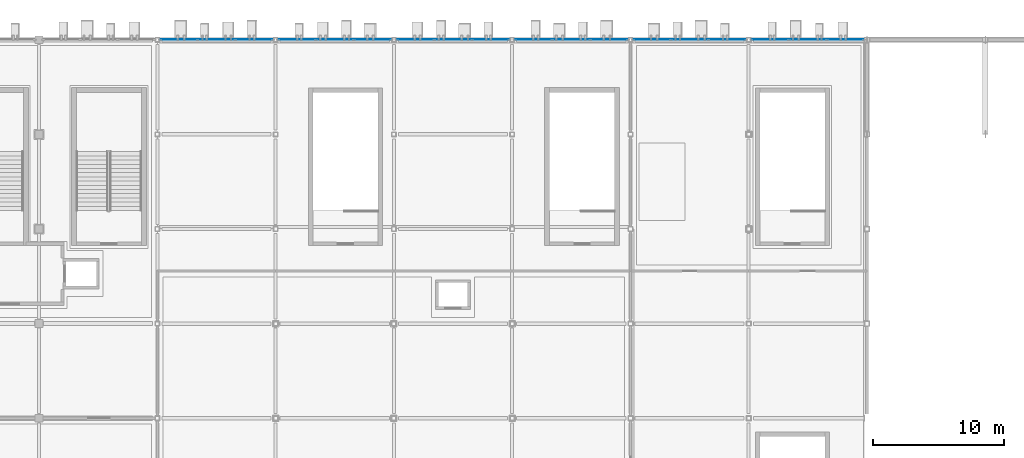
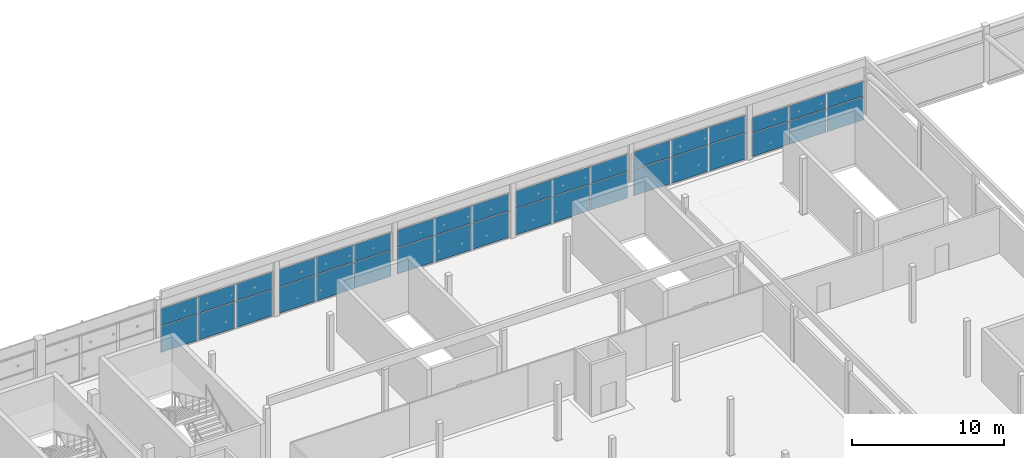
# One storey, part 79 of 124: 36 plates, 6 elements without a shape of their own.
"""IFC4 building model written with IfcOpenShell, lengths in metres."""

from ifc_helpers import new_model, si_unit, direction, frame, origin, origin_2d, place, context, subcontext, project, spatial, rectangle, extrude, material, layer, layer_set, type_object, element, aggregate, save


model = new_model("IFC4")

# Units and contexts
model_context = context("Model", 3, precision=1e-05, world=origin(), true_north=direction((0.0, 1.0)))
body_context = subcontext(model_context, "Body", "Model", "MODEL_VIEW")
ifc_project = project(units=[si_unit("LENGTHUNIT", "METRE"), si_unit("AREAUNIT", "SQUARE_METRE"), si_unit("VOLUMEUNIT", "CUBIC_METRE"), si_unit("PLANEANGLEUNIT", "RADIAN"), si_unit("MASSUNIT", "GRAM", prefix="KILO")], contexts=[model_context])

# Site, building, storey
site_placement = place(None, origin())
site = spatial("IfcSite", under=ifc_project, at=site_placement, CompositionType="ELEMENT")
building_placement = place(site_placement, origin())
building = spatial("IfcBuilding", under=site, at=building_placement, Name="Celestram Park Convention Centre", CompositionType="ELEMENT")
storey_placement = place(building_placement, frame((0.0, 0.0, 15.300048828125)))
storey = spatial("IfcBuildingStorey", under=building, at=storey_placement, Name="L03", CompositionType="ELEMENT", Elevation=15.300048828125)

# Curtain wall, plates
ifc_material_1 = material(Name="Anodised Aluminium Alloy 6063-T6", Category="aluminium")
ifc_layer_1 = layer(ifc_material_1, 0.179931640625)
ifc_layer_set_1 = layer_set([ifc_layer_1], Name="Anodised Aluminium Alloy 6063-T6")
curtain_wall_type_1 = type_object("IfcCurtainWallType", Name="ARC-CW-865X364", PredefinedType="NOTDEFINED", material=ifc_layer_set_1)
curtain_wall_1_placement = place(storey_placement, origin())
curtain_wall_1 = element("IfcCurtainWall", 1, at=curtain_wall_1_placement, inside=storey, type_object=curtain_wall_type_1, Name="Unitised curtain wall CU-L03-210", PredefinedType="NOTDEFINED")
ifc_material_2 = material(Name="Insulated Glazing Unit 38 mm", Category="glass")
ifc_layer_2 = layer(ifc_material_2, 0.0380859375)
ifc_layer_set_2 = layer_set([ifc_layer_2], Name="Insulated Glazing Unit 38 mm")
plate_type = type_object("IfcPlateType", Name="ARC-CWP-IGU38", PredefinedType="CURTAIN_PANEL", material=ifc_layer_set_2)
plate_1_placement = place(storey_placement, frame((100.634033203125, 165.60009765625, 0.06494140625), z_axis=(0.0, 0.0, 1.0), x_axis=(1.0, 0.0, 0.0)))
plate_1 = element("IfcPlate", 2, at=plate_1_placement, type_object=plate_type, Name="CW-86X36 panel 1.1", PredefinedType="CURTAIN_PANEL", context=body_context, shape_type="SweptSolid", body=[
    extrude(rectangle(XDim=2.772216796875, YDim=0.0380859375, at=origin_2d()), origin(), (0.0, 0.0, 1.0), 2.08544921875),
])
plate_2_placement = place(storey_placement, frame((100.634033203125, 165.60009765625, 2.215576171875), z_axis=(0.0, 0.0, 1.0), x_axis=(1.0, 0.0, 0.0)))
plate_2 = element("IfcPlate", 3, at=plate_2_placement, type_object=plate_type, Name="CW-86X36 panel 1.2", PredefinedType="CURTAIN_PANEL", context=body_context, shape_type="SweptSolid", body=[
    extrude(rectangle(XDim=2.772216796875, YDim=0.0380859375, at=origin_2d()), origin(), (0.0, 0.0, 1.0), 1.357421875),
])
plate_3_placement = place(storey_placement, frame((103.5, 165.60009765625, 0.06494140625), z_axis=(0.0, 0.0, 1.0), x_axis=(1.0, 0.0, 0.0)))
plate_3 = element("IfcPlate", 4, at=plate_3_placement, type_object=plate_type, Name="CW-86X36 panel 2.1", PredefinedType="CURTAIN_PANEL", context=body_context, shape_type="SweptSolid", body=[
    extrude(rectangle(XDim=2.8095703125, YDim=0.0380859375, at=origin_2d()), origin(), (0.0, 0.0, 1.0), 2.08544921875),
])
plate_4_placement = place(storey_placement, frame((103.5, 165.60009765625, 2.215576171875), z_axis=(0.0, 0.0, 1.0), x_axis=(1.0, 0.0, 0.0)))
plate_4 = element("IfcPlate", 5, at=plate_4_placement, type_object=plate_type, Name="CW-86X36 panel 2.2", PredefinedType="CURTAIN_PANEL", context=body_context, shape_type="SweptSolid", body=[
    extrude(rectangle(XDim=2.8095703125, YDim=0.0380859375, at=origin_2d()), origin(), (0.0, 0.0, 1.0), 1.357421875),
])
plate_5_placement = place(storey_placement, frame((106.365966796875, 165.60009765625, 0.06494140625), z_axis=(0.0, 0.0, 1.0), x_axis=(1.0, 0.0, 0.0)))
plate_5 = element("IfcPlate", 6, at=plate_5_placement, type_object=plate_type, Name="CW-86X36 panel 3.1", PredefinedType="CURTAIN_PANEL", context=body_context, shape_type="SweptSolid", body=[
    extrude(rectangle(XDim=2.772216796875, YDim=0.0380859375, at=origin_2d()), origin(), (0.0, 0.0, 1.0), 2.08544921875),
])
plate_6_placement = place(storey_placement, frame((106.365966796875, 165.60009765625, 2.215576171875), z_axis=(0.0, 0.0, 1.0), x_axis=(1.0, 0.0, 0.0)))
plate_6 = element("IfcPlate", 7, at=plate_6_placement, type_object=plate_type, Name="CW-86X36 panel 3.2", PredefinedType="CURTAIN_PANEL", context=body_context, shape_type="SweptSolid", body=[
    extrude(rectangle(XDim=2.772216796875, YDim=0.0380859375, at=origin_2d()), origin(), (0.0, 0.0, 1.0), 1.357421875),
])
aggregate(curtain_wall_1, [plate_1, plate_2, plate_3, plate_4, plate_5, plate_6])

ifc_layer_3 = layer(ifc_material_1, 0.179931640625)
ifc_layer_set_3 = layer_set([ifc_layer_3], Name="Anodised Aluminium Alloy 6063-T6")
curtain_wall_type_2 = type_object("IfcCurtainWallType", Name="ARC-CW-865X365", PredefinedType="NOTDEFINED", material=ifc_layer_set_3)
curtain_wall_2_placement = place(storey_placement, origin())
curtain_wall_2 = element("IfcCurtainWall", 8, at=curtain_wall_2_placement, inside=storey, type_object=curtain_wall_type_2, Name="Unitised curtain wall CU-L03-211", PredefinedType="NOTDEFINED")
plate_7_placement = place(storey_placement, frame((109.634033203125, 165.60009765625, 0.06494140625), z_axis=(0.0, 0.0, 1.0), x_axis=(1.0, 0.0, 0.0)))
plate_7 = element("IfcPlate", 9, at=plate_7_placement, type_object=plate_type, Name="CW-86X36 panel 1.1", PredefinedType="CURTAIN_PANEL", context=body_context, shape_type="SweptSolid", body=[
    extrude(rectangle(XDim=2.772216796875, YDim=0.0380859375, at=origin_2d()), origin(), (0.0, 0.0, 1.0), 2.091552734375),
])
plate_8_placement = place(storey_placement, frame((109.634033203125, 165.60009765625, 2.22119140625), z_axis=(0.0, 0.0, 1.0), x_axis=(1.0, 0.0, 0.0)))
plate_8 = element("IfcPlate", 10, at=plate_8_placement, type_object=plate_type, Name="CW-86X36 panel 1.2", PredefinedType="CURTAIN_PANEL", context=body_context, shape_type="SweptSolid", body=[
    extrude(rectangle(XDim=2.772216796875, YDim=0.0380859375, at=origin_2d()), origin(), (0.0, 0.0, 1.0), 1.361572265625),
])
plate_9_placement = place(storey_placement, frame((112.5, 165.60009765625, 0.06494140625), z_axis=(0.0, 0.0, 1.0), x_axis=(1.0, 0.0, 0.0)))
plate_9 = element("IfcPlate", 11, at=plate_9_placement, type_object=plate_type, Name="CW-86X36 panel 2.1", PredefinedType="CURTAIN_PANEL", context=body_context, shape_type="SweptSolid", body=[
    extrude(rectangle(XDim=2.8095703125, YDim=0.0380859375, at=origin_2d()), origin(), (0.0, 0.0, 1.0), 2.091552734375),
])
plate_10_placement = place(storey_placement, frame((112.5, 165.60009765625, 2.22119140625), z_axis=(0.0, 0.0, 1.0), x_axis=(1.0, 0.0, 0.0)))
plate_10 = element("IfcPlate", 12, at=plate_10_placement, type_object=plate_type, Name="CW-86X36 panel 2.2", PredefinedType="CURTAIN_PANEL", context=body_context, shape_type="SweptSolid", body=[
    extrude(rectangle(XDim=2.8095703125, YDim=0.0380859375, at=origin_2d()), origin(), (0.0, 0.0, 1.0), 1.361572265625),
])
plate_11_placement = place(storey_placement, frame((115.365966796875, 165.60009765625, 0.06494140625), z_axis=(0.0, 0.0, 1.0), x_axis=(1.0, 0.0, 0.0)))
plate_11 = element("IfcPlate", 13, at=plate_11_placement, type_object=plate_type, Name="CW-86X36 panel 3.1", PredefinedType="CURTAIN_PANEL", context=body_context, shape_type="SweptSolid", body=[
    extrude(rectangle(XDim=2.772216796875, YDim=0.0380859375, at=origin_2d()), origin(), (0.0, 0.0, 1.0), 2.091552734375),
])
plate_12_placement = place(storey_placement, frame((115.365966796875, 165.60009765625, 2.22119140625), z_axis=(0.0, 0.0, 1.0), x_axis=(1.0, 0.0, 0.0)))
plate_12 = element("IfcPlate", 14, at=plate_12_placement, type_object=plate_type, Name="CW-86X36 panel 3.2", PredefinedType="CURTAIN_PANEL", context=body_context, shape_type="SweptSolid", body=[
    extrude(rectangle(XDim=2.772216796875, YDim=0.0380859375, at=origin_2d()), origin(), (0.0, 0.0, 1.0), 1.361572265625),
])
aggregate(curtain_wall_2, [plate_7, plate_8, plate_9, plate_10, plate_11, plate_12])

curtain_wall_3_placement = place(storey_placement, origin())
curtain_wall_3 = element("IfcCurtainWall", 15, at=curtain_wall_3_placement, inside=storey, type_object=curtain_wall_type_2, Name="Unitised curtain wall CU-L03-212", PredefinedType="NOTDEFINED")
plate_13_placement = place(storey_placement, frame((118.634033203125, 165.60009765625, 0.06494140625), z_axis=(0.0, 0.0, 1.0), x_axis=(1.0, 0.0, 0.0)))
plate_13 = element("IfcPlate", 16, at=plate_13_placement, type_object=plate_type, Name="CW-86X36 panel 1.1", PredefinedType="CURTAIN_PANEL", context=body_context, shape_type="SweptSolid", body=[
    extrude(rectangle(XDim=2.772216796875, YDim=0.0380859375, at=origin_2d()), origin(), (0.0, 0.0, 1.0), 2.091552734375),
])
plate_14_placement = place(storey_placement, frame((118.634033203125, 165.60009765625, 2.22119140625), z_axis=(0.0, 0.0, 1.0), x_axis=(1.0, 0.0, 0.0)))
plate_14 = element("IfcPlate", 17, at=plate_14_placement, type_object=plate_type, Name="CW-86X36 panel 1.2", PredefinedType="CURTAIN_PANEL", context=body_context, shape_type="SweptSolid", body=[
    extrude(rectangle(XDim=2.772216796875, YDim=0.0380859375, at=origin_2d()), origin(), (0.0, 0.0, 1.0), 1.361572265625),
])
plate_15_placement = place(storey_placement, frame((121.5, 165.60009765625, 0.06494140625), z_axis=(0.0, 0.0, 1.0), x_axis=(1.0, 0.0, 0.0)))
plate_15 = element("IfcPlate", 18, at=plate_15_placement, type_object=plate_type, Name="CW-86X36 panel 2.1", PredefinedType="CURTAIN_PANEL", context=body_context, shape_type="SweptSolid", body=[
    extrude(rectangle(XDim=2.8095703125, YDim=0.0380859375, at=origin_2d()), origin(), (0.0, 0.0, 1.0), 2.091552734375),
])
plate_16_placement = place(storey_placement, frame((121.5, 165.60009765625, 2.22119140625), z_axis=(0.0, 0.0, 1.0), x_axis=(1.0, 0.0, 0.0)))
plate_16 = element("IfcPlate", 19, at=plate_16_placement, type_object=plate_type, Name="CW-86X36 panel 2.2", PredefinedType="CURTAIN_PANEL", context=body_context, shape_type="SweptSolid", body=[
    extrude(rectangle(XDim=2.8095703125, YDim=0.0380859375, at=origin_2d()), origin(), (0.0, 0.0, 1.0), 1.361572265625),
])
plate_17_placement = place(storey_placement, frame((124.365966796875, 165.60009765625, 0.06494140625), z_axis=(0.0, 0.0, 1.0), x_axis=(1.0, 0.0, 0.0)))
plate_17 = element("IfcPlate", 20, at=plate_17_placement, type_object=plate_type, Name="CW-86X36 panel 3.1", PredefinedType="CURTAIN_PANEL", context=body_context, shape_type="SweptSolid", body=[
    extrude(rectangle(XDim=2.772216796875, YDim=0.0380859375, at=origin_2d()), origin(), (0.0, 0.0, 1.0), 2.091552734375),
])
plate_18_placement = place(storey_placement, frame((124.365966796875, 165.60009765625, 2.22119140625), z_axis=(0.0, 0.0, 1.0), x_axis=(1.0, 0.0, 0.0)))
plate_18 = element("IfcPlate", 21, at=plate_18_placement, type_object=plate_type, Name="CW-86X36 panel 3.2", PredefinedType="CURTAIN_PANEL", context=body_context, shape_type="SweptSolid", body=[
    extrude(rectangle(XDim=2.772216796875, YDim=0.0380859375, at=origin_2d()), origin(), (0.0, 0.0, 1.0), 1.361572265625),
])
aggregate(curtain_wall_3, [plate_13, plate_14, plate_15, plate_16, plate_17, plate_18])

curtain_wall_4_placement = place(storey_placement, origin())
curtain_wall_4 = element("IfcCurtainWall", 22, at=curtain_wall_4_placement, inside=storey, type_object=curtain_wall_type_2, Name="Unitised curtain wall CU-L03-213", PredefinedType="NOTDEFINED")
plate_19_placement = place(storey_placement, frame((127.634033203125, 165.60009765625, 0.06494140625), z_axis=(0.0, 0.0, 1.0), x_axis=(1.0, 0.0, 0.0)))
plate_19 = element("IfcPlate", 23, at=plate_19_placement, type_object=plate_type, Name="CW-86X36 panel 1.1", PredefinedType="CURTAIN_PANEL", context=body_context, shape_type="SweptSolid", body=[
    extrude(rectangle(XDim=2.772216796875, YDim=0.0380859375, at=origin_2d()), origin(), (0.0, 0.0, 1.0), 2.091552734375),
])
plate_20_placement = place(storey_placement, frame((127.634033203125, 165.60009765625, 2.22119140625), z_axis=(0.0, 0.0, 1.0), x_axis=(1.0, 0.0, 0.0)))
plate_20 = element("IfcPlate", 24, at=plate_20_placement, type_object=plate_type, Name="CW-86X36 panel 1.2", PredefinedType="CURTAIN_PANEL", context=body_context, shape_type="SweptSolid", body=[
    extrude(rectangle(XDim=2.772216796875, YDim=0.0380859375, at=origin_2d()), origin(), (0.0, 0.0, 1.0), 1.361572265625),
])
plate_21_placement = place(storey_placement, frame((130.5, 165.60009765625, 0.06494140625), z_axis=(0.0, 0.0, 1.0), x_axis=(1.0, 0.0, 0.0)))
plate_21 = element("IfcPlate", 25, at=plate_21_placement, type_object=plate_type, Name="CW-86X36 panel 2.1", PredefinedType="CURTAIN_PANEL", context=body_context, shape_type="SweptSolid", body=[
    extrude(rectangle(XDim=2.8095703125, YDim=0.0380859375, at=origin_2d()), origin(), (0.0, 0.0, 1.0), 2.091552734375),
])
plate_22_placement = place(storey_placement, frame((130.5, 165.60009765625, 2.22119140625), z_axis=(0.0, 0.0, 1.0), x_axis=(1.0, 0.0, 0.0)))
plate_22 = element("IfcPlate", 26, at=plate_22_placement, type_object=plate_type, Name="CW-86X36 panel 2.2", PredefinedType="CURTAIN_PANEL", context=body_context, shape_type="SweptSolid", body=[
    extrude(rectangle(XDim=2.8095703125, YDim=0.0380859375, at=origin_2d()), origin(), (0.0, 0.0, 1.0), 1.361572265625),
])
plate_23_placement = place(storey_placement, frame((133.365966796875, 165.60009765625, 0.06494140625), z_axis=(0.0, 0.0, 1.0), x_axis=(1.0, 0.0, 0.0)))
plate_23 = element("IfcPlate", 27, at=plate_23_placement, type_object=plate_type, Name="CW-86X36 panel 3.1", PredefinedType="CURTAIN_PANEL", context=body_context, shape_type="SweptSolid", body=[
    extrude(rectangle(XDim=2.772216796875, YDim=0.0380859375, at=origin_2d()), origin(), (0.0, 0.0, 1.0), 2.091552734375),
])
plate_24_placement = place(storey_placement, frame((133.365966796875, 165.60009765625, 2.22119140625), z_axis=(0.0, 0.0, 1.0), x_axis=(1.0, 0.0, 0.0)))
plate_24 = element("IfcPlate", 28, at=plate_24_placement, type_object=plate_type, Name="CW-86X36 panel 3.2", PredefinedType="CURTAIN_PANEL", context=body_context, shape_type="SweptSolid", body=[
    extrude(rectangle(XDim=2.772216796875, YDim=0.0380859375, at=origin_2d()), origin(), (0.0, 0.0, 1.0), 1.361572265625),
])
aggregate(curtain_wall_4, [plate_19, plate_20, plate_21, plate_22, plate_23, plate_24])

curtain_wall_5_placement = place(storey_placement, origin())
curtain_wall_5 = element("IfcCurtainWall", 29, at=curtain_wall_5_placement, inside=storey, type_object=curtain_wall_type_2, Name="Unitised curtain wall CU-L03-214", PredefinedType="NOTDEFINED")
plate_25_placement = place(storey_placement, frame((136.634033203125, 165.60009765625, 0.06494140625), z_axis=(0.0, 0.0, 1.0), x_axis=(1.0, 0.0, 0.0)))
plate_25 = element("IfcPlate", 30, at=plate_25_placement, type_object=plate_type, Name="CW-86X36 panel 1.1", PredefinedType="CURTAIN_PANEL", context=body_context, shape_type="SweptSolid", body=[
    extrude(rectangle(XDim=2.772216796875, YDim=0.0380859375, at=origin_2d()), origin(), (0.0, 0.0, 1.0), 2.091552734375),
])
plate_26_placement = place(storey_placement, frame((136.634033203125, 165.60009765625, 2.22119140625), z_axis=(0.0, 0.0, 1.0), x_axis=(1.0, 0.0, 0.0)))
plate_26 = element("IfcPlate", 31, at=plate_26_placement, type_object=plate_type, Name="CW-86X36 panel 1.2", PredefinedType="CURTAIN_PANEL", context=body_context, shape_type="SweptSolid", body=[
    extrude(rectangle(XDim=2.772216796875, YDim=0.0380859375, at=origin_2d()), origin(), (0.0, 0.0, 1.0), 1.361572265625),
])
plate_27_placement = place(storey_placement, frame((139.5, 165.60009765625, 0.06494140625), z_axis=(0.0, 0.0, 1.0), x_axis=(1.0, 0.0, 0.0)))
plate_27 = element("IfcPlate", 32, at=plate_27_placement, type_object=plate_type, Name="CW-86X36 panel 2.1", PredefinedType="CURTAIN_PANEL", context=body_context, shape_type="SweptSolid", body=[
    extrude(rectangle(XDim=2.8095703125, YDim=0.0380859375, at=origin_2d()), origin(), (0.0, 0.0, 1.0), 2.091552734375),
])
plate_28_placement = place(storey_placement, frame((139.5, 165.60009765625, 2.22119140625), z_axis=(0.0, 0.0, 1.0), x_axis=(1.0, 0.0, 0.0)))
plate_28 = element("IfcPlate", 33, at=plate_28_placement, type_object=plate_type, Name="CW-86X36 panel 2.2", PredefinedType="CURTAIN_PANEL", context=body_context, shape_type="SweptSolid", body=[
    extrude(rectangle(XDim=2.8095703125, YDim=0.0380859375, at=origin_2d()), origin(), (0.0, 0.0, 1.0), 1.361572265625),
])
plate_29_placement = place(storey_placement, frame((142.365966796875, 165.60009765625, 0.06494140625), z_axis=(0.0, 0.0, 1.0), x_axis=(1.0, 0.0, 0.0)))
plate_29 = element("IfcPlate", 34, at=plate_29_placement, type_object=plate_type, Name="CW-86X36 panel 3.1", PredefinedType="CURTAIN_PANEL", context=body_context, shape_type="SweptSolid", body=[
    extrude(rectangle(XDim=2.772216796875, YDim=0.0380859375, at=origin_2d()), origin(), (0.0, 0.0, 1.0), 2.091552734375),
])
plate_30_placement = place(storey_placement, frame((142.365966796875, 165.60009765625, 2.22119140625), z_axis=(0.0, 0.0, 1.0), x_axis=(1.0, 0.0, 0.0)))
plate_30 = element("IfcPlate", 35, at=plate_30_placement, type_object=plate_type, Name="CW-86X36 panel 3.2", PredefinedType="CURTAIN_PANEL", context=body_context, shape_type="SweptSolid", body=[
    extrude(rectangle(XDim=2.772216796875, YDim=0.0380859375, at=origin_2d()), origin(), (0.0, 0.0, 1.0), 1.361572265625),
])
aggregate(curtain_wall_5, [plate_25, plate_26, plate_27, plate_28, plate_29, plate_30])

ifc_layer_4 = layer(ifc_material_1, 0.179931640625)
ifc_layer_set_4 = layer_set([ifc_layer_4], Name="Anodised Aluminium Alloy 6063-T6")
curtain_wall_type_3 = type_object("IfcCurtainWallType", Name="ARC-CW-863X324", PredefinedType="NOTDEFINED", material=ifc_layer_set_4)
curtain_wall_6_placement = place(storey_placement, origin())
curtain_wall_6 = element("IfcCurtainWall", 36, at=curtain_wall_6_placement, inside=storey, type_object=curtain_wall_type_3, Name="Unitised curtain wall CU-L03-215", PredefinedType="NOTDEFINED")
plate_31_placement = place(storey_placement, frame((145.6298828125, 165.60009765625, 0.06494140625), z_axis=(0.0, 0.0, 1.0), x_axis=(1.0, 0.0, 0.0)))
plate_31 = element("IfcPlate", 37, at=plate_31_placement, type_object=plate_type, Name="CW-86X32 panel 1.1", PredefinedType="CURTAIN_PANEL", context=body_context, shape_type="SweptSolid", body=[
    extrude(rectangle(XDim=2.763916015625, YDim=0.0380859375, at=origin_2d()), origin(), (0.0, 0.0, 1.0), 1.845458984375),
])
plate_32_placement = place(storey_placement, frame((145.6298828125, 165.60009765625, 1.9755859375), z_axis=(0.0, 0.0, 1.0), x_axis=(1.0, 0.0, 0.0)))
plate_32 = element("IfcPlate", 38, at=plate_32_placement, type_object=plate_type, Name="CW-86X32 panel 1.2", PredefinedType="CURTAIN_PANEL", context=body_context, shape_type="SweptSolid", body=[
    extrude(rectangle(XDim=2.763916015625, YDim=0.0380859375, at=origin_2d()), origin(), (0.0, 0.0, 1.0), 1.198486328125),
])
plate_33_placement = place(storey_placement, frame((148.487548828125, 165.60009765625, 0.06494140625), z_axis=(0.0, 0.0, 1.0), x_axis=(1.0, 0.0, 0.0)))
plate_33 = element("IfcPlate", 39, at=plate_33_placement, type_object=plate_type, Name="CW-86X32 panel 2.1", PredefinedType="CURTAIN_PANEL", context=body_context, shape_type="SweptSolid", body=[
    extrude(rectangle(XDim=2.80126953125, YDim=0.0380859375, at=origin_2d()), origin(), (0.0, 0.0, 1.0), 1.845458984375),
])
plate_34_placement = place(storey_placement, frame((148.487548828125, 165.60009765625, 1.9755859375), z_axis=(0.0, 0.0, 1.0), x_axis=(1.0, 0.0, 0.0)))
plate_34 = element("IfcPlate", 40, at=plate_34_placement, type_object=plate_type, Name="CW-86X32 panel 2.2", PredefinedType="CURTAIN_PANEL", context=body_context, shape_type="SweptSolid", body=[
    extrude(rectangle(XDim=2.80126953125, YDim=0.0380859375, at=origin_2d()), origin(), (0.0, 0.0, 1.0), 1.198486328125),
])
plate_35_placement = place(storey_placement, frame((151.344970703125, 165.60009765625, 0.06494140625), z_axis=(0.0, 0.0, 1.0), x_axis=(1.0, 0.0, 0.0)))
plate_35 = element("IfcPlate", 41, at=plate_35_placement, type_object=plate_type, Name="CW-86X32 panel 3.1", PredefinedType="CURTAIN_PANEL", context=body_context, shape_type="SweptSolid", body=[
    extrude(rectangle(XDim=2.763916015625, YDim=0.0380859375, at=origin_2d()), origin(), (0.0, 0.0, 1.0), 1.845458984375),
])
plate_36_placement = place(storey_placement, frame((151.344970703125, 165.60009765625, 1.9755859375), z_axis=(0.0, 0.0, 1.0), x_axis=(1.0, 0.0, 0.0)))
plate_36 = element("IfcPlate", 42, at=plate_36_placement, type_object=plate_type, Name="CW-86X32 panel 3.2", PredefinedType="CURTAIN_PANEL", context=body_context, shape_type="SweptSolid", body=[
    extrude(rectangle(XDim=2.763916015625, YDim=0.0380859375, at=origin_2d()), origin(), (0.0, 0.0, 1.0), 1.198486328125),
])
aggregate(curtain_wall_6, [plate_31, plate_32, plate_33, plate_34, plate_35, plate_36])

save(model, "model.ifc")
